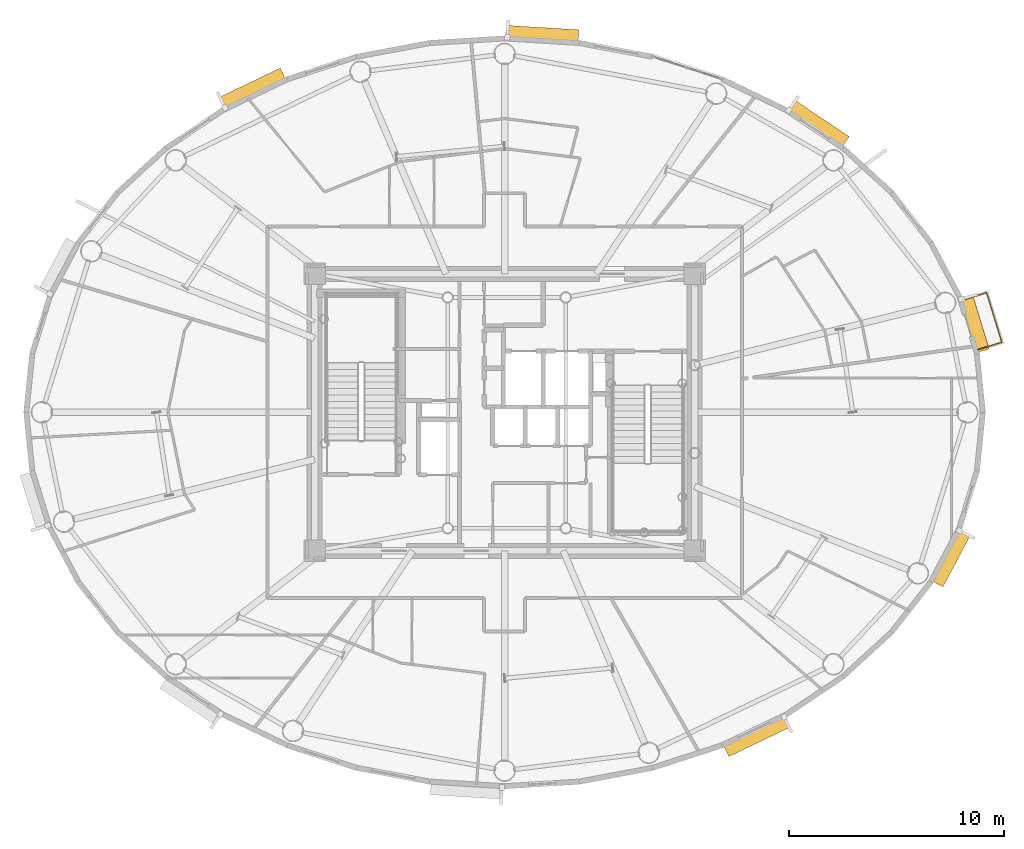
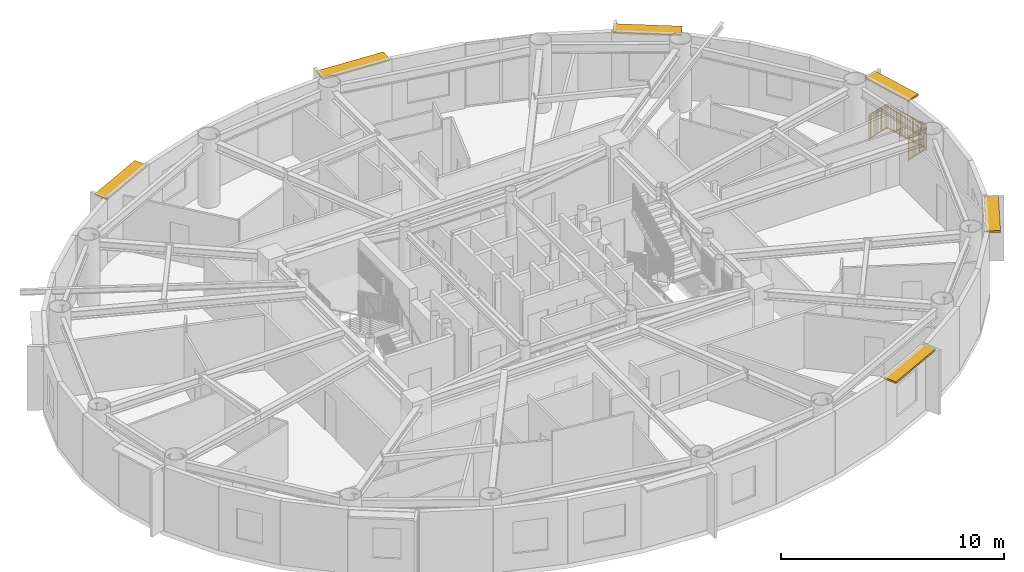
# One storey, part 18 of 18: 6 shading devices, 1 railing.
"""IFC4 building model written with IfcOpenShell, lengths in metres."""

import ifcopenshell
import ifcopenshell.guid

model = None  # the IFC model being written
_history = None  # IfcOwnerHistory: only IFC2X3 demands one
_inside = {}  # id of a spatial element -> (the spatial element, [elements in it])
_under = {}  # id of a project, library or spatial element -> (it, [spatial elements below it])
_declared = {}  # id of a project -> (the project, [libraries it declares])
_typed = {}  # id of a type object -> (the type object, [elements of that type])
_made_of = {}  # id of a material, layer set ... -> (it, [elements and type objects made of it])


def new_model(schema):
    """Start an empty IFC model of exactly this schema.

    Asked for "IFC4X3", IfcOpenShell would pick the latest addendum, in which some entities
    have other attributes; the version numbers below select the first issue.
    IFC2X3 requires an IfcOwnerHistory on every rooted entity: one is made here for all.
    """
    global model, _history
    if schema == "IFC4X3":
        model = ifcopenshell.file(schema_version=(4, 3, 0, 0))
    else:
        model = ifcopenshell.file(schema=schema)
    _inside.clear()
    _under.clear()
    _declared.clear()
    _typed.clear()
    _made_of.clear()
    _history = None
    if model.schema == "IFC2X3":
        org = make("IfcOrganization", Name="unknown")
        user = make(
            "IfcPersonAndOrganization",
            ThePerson=make("IfcPerson", FamilyName="unknown"),
            TheOrganization=org,
        )
        app = make(
            "IfcApplication",
            ApplicationDeveloper=org,
            Version="unknown",
            ApplicationFullName="unknown",
            ApplicationIdentifier="unknown",
        )
        _history = make(
            "IfcOwnerHistory",
            OwningUser=user,
            OwningApplication=app,
            ChangeAction="ADDED",
            CreationDate=0,
        )
    return model


def make(cls, **values):
    """One entity of the class cls with the attributes given. An attribute that is None is left unset."""
    return model.create_entity(
        cls, **{name: value for name, value in values.items() if value is not None}
    )


def rooted(cls, **values):
    """An entity with a GlobalId (a new one), such as an element, a storey or a relation."""
    return make(cls, GlobalId=ifcopenshell.guid.new(), OwnerHistory=_history, **values)


def si_unit(unit_type, name, prefix=None):
    """IfcSIUnit, for example si_unit("LENGTHUNIT", "METRE", prefix="MILLI")."""
    return make("IfcSIUnit", UnitType=unit_type, Prefix=prefix, Name=name)


def assignment(units):
    """IfcUnitAssignment: the units of a project."""
    return None if units is None else make("IfcUnitAssignment", Units=units)


def point(xyz):
    """IfcCartesianPoint."""
    return None if xyz is None else make("IfcCartesianPoint", Coordinates=xyz)


def direction(xyz):
    """IfcDirection."""
    return None if xyz is None else make("IfcDirection", DirectionRatios=xyz)


def frame(location, z_axis=None, x_axis=None):
    """IfcAxis2Placement3D, a coordinate frame: its origin and axes. An axis left out is left unset."""
    return make(
        "IfcAxis2Placement3D",
        Location=point(location),
        Axis=direction(z_axis),
        RefDirection=direction(x_axis),
    )


def frame_2d(location, x_axis=None):
    """IfcAxis2Placement2D, a coordinate frame in the plane: its origin and x axis."""
    return make(
        "IfcAxis2Placement2D", Location=point(location), RefDirection=direction(x_axis)
    )


def origin():
    """The frame at (0, 0, 0) with its axes left unset."""
    return frame((0.0, 0.0, 0.0))


def origin_2d():
    """The frame at (0, 0) in the plane with its x axis left unset."""
    return frame_2d((0.0, 0.0))


def place(relative_to, where):
    """IfcLocalPlacement: puts the frame where relative to a parent placement (None: the world)."""
    return make(
        "IfcLocalPlacement", PlacementRelTo=relative_to, RelativePlacement=where
    )


def context(
    kind, dimensions, precision=None, world=None, true_north=None, identifier=None
):
    """IfcGeometricRepresentationContext, for example the 3D "Model" context."""
    return make(
        "IfcGeometricRepresentationContext",
        ContextIdentifier=identifier,
        ContextType=kind,
        CoordinateSpaceDimension=dimensions,
        Precision=precision,
        WorldCoordinateSystem=world,
        TrueNorth=true_north,
    )


def subcontext(parent, identifier, kind, view, scale=None):
    """IfcGeometricRepresentationSubContext, for example "Body" below "Model"."""
    return make(
        "IfcGeometricRepresentationSubContext",
        ContextIdentifier=identifier,
        ContextType=kind,
        ParentContext=parent,
        TargetScale=scale,
        TargetView=view,
    )


def project(units=None, contexts=None):
    """IfcProject with its units and contexts."""
    return rooted(
        "IfcProject",
        Name="project",
        RepresentationContexts=contexts,
        UnitsInContext=assignment(units),
    )


def spatial(cls, under=None, at=None, **own):
    """A site, building, storey or space (cls), placed at a placement, below another one or the project."""
    s = rooted(cls, ObjectPlacement=at, **own)
    if under is not None:
        _under.setdefault(under.id(), (under, []))[1].append(s)
    return s


def profile(cls, at=None, kind="AREA", **sizes):
    """A parametric profile (cls). Its sizes go by their IFC names, for example OverallWidth=200.0."""
    return make(cls, ProfileType=kind, Position=at, **sizes)


def rectangle(**sizes):
    """IfcRectangleProfileDef."""
    return profile("IfcRectangleProfileDef", **sizes)


def extrude(swept, where, along, depth):
    """IfcExtrudedAreaSolid: the profile swept, set in the frame where, extruded along a direction by depth."""
    return make(
        "IfcExtrudedAreaSolid",
        SweptArea=swept,
        Position=where,
        ExtrudedDirection=direction(along),
        Depth=depth,
    )


def shape(context_of_items, identifier, shape_type, items):
    """IfcShapeRepresentation: the items that make up one representation, for example the "Body"."""
    return make(
        "IfcShapeRepresentation",
        ContextOfItems=context_of_items,
        RepresentationIdentifier=identifier,
        RepresentationType=shape_type,
        Items=items,
    )


def source(mapping_origin, context_of_items, identifier, shape_type, items):
    """IfcRepresentationMap: a shape defined once, which mapped items show again and again."""
    return make(
        "IfcRepresentationMap",
        MappingOrigin=mapping_origin,
        MappedRepresentation=shape(context_of_items, identifier, shape_type, items),
    )


def transform(
    local_origin,
    x_axis=None,
    y_axis=None,
    z_axis=None,
    scale=None,
    scale2=None,
    scale3=None,
    uniform=True,
):
    """IfcCartesianTransformationOperator3D, or its non-uniform kind. x_axis, y_axis, z_axis: its Axis1, 2, 3."""
    if uniform:
        return make(
            "IfcCartesianTransformationOperator3D",
            Axis1=direction(x_axis),
            Axis2=direction(y_axis),
            LocalOrigin=point(local_origin),
            Scale=scale,
            Axis3=direction(z_axis),
        )
    return make(
        "IfcCartesianTransformationOperator3DnonUniform",
        Axis1=direction(x_axis),
        Axis2=direction(y_axis),
        LocalOrigin=point(local_origin),
        Scale=scale,
        Axis3=direction(z_axis),
        Scale2=scale2,
        Scale3=scale3,
    )


def mapped(mapping_source, mapping_target):
    """IfcMappedItem: shows the shape of a source again, moved by a transform."""
    return make(
        "IfcMappedItem", MappingSource=mapping_source, MappingTarget=mapping_target
    )


def material(Name=None, Category=None):
    """IfcMaterial."""
    return make("IfcMaterial", Name=Name, Category=Category)


def layer(
    of_material, thickness, ventilated=None, Name=None, Category=None, Priority=None
):
    """IfcMaterialLayer: one layer of a wall or slab, of a material (None: an air gap)."""
    return make(
        "IfcMaterialLayer",
        Material=of_material,
        LayerThickness=thickness,
        IsVentilated=ventilated,
        Name=Name,
        Category=Category,
        Priority=Priority,
    )


def layer_set(layers, Name=None):
    """IfcMaterialLayerSet."""
    return make("IfcMaterialLayerSet", MaterialLayers=layers, LayerSetName=Name)


def made_of(thing, what):
    """Note that an element or type object is made of a material, layer set ...; save() writes the relation."""
    if what is not None:
        _made_of.setdefault(what.id(), (what, []))[1].append(thing)
    return thing


def type_object(cls, material=None, **own):
    """A type object (cls), such as IfcWallType, which elements share."""
    return made_of(rooted(cls, **own), material)


def element(
    cls,
    number,
    at=None,
    inside=None,
    cuts=None,
    type_object=None,
    material=None,
    context=None,
    identifier="Body",
    shape_type=None,
    held_by="IfcProductDefinitionShape",
    body=None,
    shapes=None,
    **own,
):
    """One element of the class cls, such as IfcWall. Its Tag is "e" and its number.

    at: its placement. inside: the storey or other place that contains it. cuts: it is an
    opening in that element (IfcRelVoidsElement). A single representation is given by context,
    identifier, shape_type and body (its items); several are given by shapes. held_by: the class
    of the entity that holds the representations. save() writes the other relations.
    """
    e = rooted(cls, Tag="e%d" % number, ObjectPlacement=at, **own)
    if body is not None:
        shapes = [shape(context, identifier, shape_type, body)]
    if shapes is not None:
        e.Representation = make(held_by, Representations=shapes)
    if inside is not None:
        _inside.setdefault(inside.id(), (inside, []))[1].append(e)
    if cuts is not None:
        rooted(
            "IfcRelVoidsElement", RelatingBuildingElement=cuts, RelatedOpeningElement=e
        )
    if type_object is not None:
        _typed.setdefault(type_object.id(), (type_object, []))[1].append(e)
    return made_of(e, material)


def aggregate(whole, parts):
    """IfcRelAggregates: a whole, such as a stair, and the parts it consists of."""
    return rooted("IfcRelAggregates", RelatingObject=whole, RelatedObjects=parts)


def save(model, path):
    """Write the relations noted so far, then the file.

    IfcRelAggregates (storeys below a building ...), IfcRelContainedInSpatialStructure (elements
    in a storey), IfcRelDefinesByType, IfcRelAssociatesMaterial and IfcRelDeclares: one each for
    every whole, place, type object, material and project.
    """
    for whole, parts in _under.values():
        aggregate(whole, parts)
    for where, things in _inside.values():
        rooted(
            "IfcRelContainedInSpatialStructure",
            RelatedElements=things,
            RelatingStructure=where,
        )
    for kind, things in _typed.values():
        rooted("IfcRelDefinesByType", RelatedObjects=things, RelatingType=kind)
    for what, things in _made_of.values():
        rooted("IfcRelAssociatesMaterial", RelatedObjects=things, RelatingMaterial=what)
    for by, libraries in _declared.values():
        rooted("IfcRelDeclares", RelatingContext=by, RelatedDefinitions=libraries)
    model.write(path)


model = new_model("IFC4")

# Units and contexts
model_context = context("Model", 3, precision=1e-05, world=origin(), true_north=direction((0.0, 1.0)))
body_context = subcontext(model_context, "Body", "Model", "MODEL_VIEW")
ifc_project = project(units=[si_unit("LENGTHUNIT", "METRE"), si_unit("AREAUNIT", "SQUARE_METRE"), si_unit("VOLUMEUNIT", "CUBIC_METRE"), si_unit("PLANEANGLEUNIT", "RADIAN"), si_unit("MASSUNIT", "GRAM", prefix="KILO")], contexts=[model_context])

# Site, building, storey
site_placement = place(None, origin())
site = spatial("IfcSite", under=ifc_project, at=site_placement, CompositionType="ELEMENT")
building_placement = place(site_placement, origin())
building = spatial("IfcBuilding", under=site, at=building_placement, Name="Linh Dai School and Residence Tower", CompositionType="ELEMENT")
storey_placement = place(building_placement, frame((0.0, 0.0, 273.0)))
storey = spatial("IfcBuildingStorey", under=building, at=storey_placement, Name="L67", CompositionType="ELEMENT", Elevation=273.0)

# Railing
ifc_material_1 = material(Name="Structural Steel S355JR", Category="steel")
railing_type = type_object("IfcRailingType", Name="RL-BAL-1400", PredefinedType="BALUSTRADE", material=ifc_material_1)
shared_shape_1 = source(origin(), body_context, "Body", "SweptSolid", [
    extrude(rectangle(XDim=0.048095703125, YDim=0.048095703125, at=origin_2d()), frame((0.0, 0.0, 1.3759765625), z_axis=(0.95606039398, 0.293169785386, 0.0), x_axis=(-0.293169785386, 0.95606039398, 0.0)), (0.0, 0.0, 1.0), 1.179931640625),
    extrude(rectangle(XDim=0.048095703125, YDim=0.048095703125, at=origin_2d()), frame((0.0, 0.0, 0.10009765625), z_axis=(0.95606039398, 0.293169785386, 0.0), x_axis=(-0.293169785386, 0.95606039398, 0.0)), (0.0, 0.0, 1.0), 1.179931640625),
    extrude(rectangle(XDim=0.030029296875, YDim=0.030029296875, at=origin_2d()), frame((0.0, 0.0, 1.239990234375), z_axis=(0.95606039398, 0.293169785386, 0.0), x_axis=(-0.293169785386, 0.95606039398, 0.0)), (0.0, 0.0, 1.0), 1.179931640625),
    extrude(rectangle(XDim=0.02001953125, YDim=0.02001953125, at=origin_2d()), frame((0.086669921875, 0.026611328125, 0.10009765625)), (0.0, 0.0, 1.0), 1.251708984375),
    extrude(rectangle(XDim=0.02001953125, YDim=0.02001953125, at=origin_2d()), frame((0.173583984375, 0.05322265625, 0.10009765625)), (0.0, 0.0, 1.0), 1.251708984375),
    extrude(rectangle(XDim=0.02001953125, YDim=0.02001953125, at=origin_2d()), frame((0.26025390625, 0.079833984375, 0.10009765625)), (0.0, 0.0, 1.0), 1.251708984375),
    extrude(rectangle(XDim=0.02001953125, YDim=0.02001953125, at=origin_2d()), frame((0.34716796875, 0.1064453125, 0.10009765625)), (0.0, 0.0, 1.0), 1.251708984375),
    extrude(rectangle(XDim=0.02001953125, YDim=0.02001953125, at=origin_2d()), frame((0.433837890625, 0.133056640625, 0.10009765625)), (0.0, 0.0, 1.0), 1.251708984375),
    extrude(rectangle(XDim=0.02001953125, YDim=0.02001953125, at=origin_2d()), frame((0.520751953125, 0.15966796875, 0.10009765625)), (0.0, 0.0, 1.0), 1.251708984375),
    extrude(rectangle(XDim=0.02001953125, YDim=0.02001953125, at=origin_2d()), frame((0.607421875, 0.186279296875, 0.10009765625)), (0.0, 0.0, 1.0), 1.251708984375),
    extrude(rectangle(XDim=0.02001953125, YDim=0.02001953125, at=origin_2d()), frame((0.6943359375, 0.212890625, 0.10009765625)), (0.0, 0.0, 1.0), 1.251708984375),
    extrude(rectangle(XDim=0.02001953125, YDim=0.02001953125, at=origin_2d()), frame((0.781005859375, 0.239501953125, 0.10009765625)), (0.0, 0.0, 1.0), 1.251708984375),
    extrude(rectangle(XDim=0.02001953125, YDim=0.02001953125, at=origin_2d()), frame((0.867919921875, 0.26611328125, 0.10009765625)), (0.0, 0.0, 1.0), 1.251708984375),
    extrude(rectangle(XDim=0.02001953125, YDim=0.02001953125, at=origin_2d()), frame((0.95458984375, 0.292724609375, 0.10009765625)), (0.0, 0.0, 1.0), 1.251708984375),
    extrude(rectangle(XDim=0.02001953125, YDim=0.02001953125, at=origin_2d()), frame((1.04150390625, 0.3193359375, 0.10009765625)), (0.0, 0.0, 1.0), 1.251708984375),
    extrude(rectangle(XDim=0.048095703125, YDim=0.048095703125, at=origin_2d()), frame((1.128173828125, 0.345947265625, 1.3759765625), z_axis=(0.293148070625, -0.956067052402, 0.0), x_axis=(0.956067052402, 0.293148070625, 0.0)), (0.0, 0.0, 1.0), 2.415283203125),
    extrude(rectangle(XDim=0.048095703125, YDim=0.048095703125, at=origin_2d()), frame((1.128173828125, 0.345947265625, 0.10009765625), z_axis=(0.293148070625, -0.956067052402, 0.0), x_axis=(0.956067052402, 0.293148070625, 0.0)), (0.0, 0.0, 1.0), 2.415283203125),
    extrude(rectangle(XDim=0.030029296875, YDim=0.030029296875, at=origin_2d()), frame((1.128173828125, 0.345947265625, 1.239990234375), z_axis=(0.293148070625, -0.956067052402, 0.0), x_axis=(0.956067052402, 0.293148070625, 0.0)), (0.0, 0.0, 1.0), 2.415283203125),
    extrude(rectangle(XDim=0.02001953125, YDim=0.02001953125, at=origin_2d()), frame((1.156494140625, 0.253662109375, 0.10009765625)), (0.0, 0.0, 1.0), 1.251708984375),
    extrude(rectangle(XDim=0.02001953125, YDim=0.02001953125, at=origin_2d()), frame((1.184814453125, 0.1611328125, 0.10009765625)), (0.0, 0.0, 1.0), 1.251708984375),
    extrude(rectangle(XDim=0.02001953125, YDim=0.02001953125, at=origin_2d()), frame((1.213134765625, 0.06884765625, 0.10009765625)), (0.0, 0.0, 1.0), 1.251708984375),
    extrude(rectangle(XDim=0.02001953125, YDim=0.02001953125, at=origin_2d()), frame((1.241455078125, -0.0234375, 0.10009765625)), (0.0, 0.0, 1.0), 1.251708984375),
    extrude(rectangle(XDim=0.02001953125, YDim=0.02001953125, at=origin_2d()), frame((1.269775390625, -0.115966796875, 0.10009765625)), (0.0, 0.0, 1.0), 1.251708984375),
    extrude(rectangle(XDim=0.02001953125, YDim=0.02001953125, at=origin_2d()), frame((1.298095703125, -0.208251953125, 0.10009765625)), (0.0, 0.0, 1.0), 1.251708984375),
    extrude(rectangle(XDim=0.02001953125, YDim=0.02001953125, at=origin_2d()), frame((1.326416015625, -0.300537109375, 0.10009765625)), (0.0, 0.0, 1.0), 1.251708984375),
    extrude(rectangle(XDim=0.02001953125, YDim=0.02001953125, at=origin_2d()), frame((1.383056640625, -0.4853515625, 0.10009765625)), (0.0, 0.0, 1.0), 1.251708984375),
    extrude(rectangle(XDim=0.02001953125, YDim=0.02001953125, at=origin_2d()), frame((1.411376953125, -0.57763671875, 0.10009765625)), (0.0, 0.0, 1.0), 1.251708984375),
    extrude(rectangle(XDim=0.02001953125, YDim=0.02001953125, at=origin_2d()), frame((1.439697265625, -0.670166015625, 0.10009765625)), (0.0, 0.0, 1.0), 1.251708984375),
    extrude(rectangle(XDim=0.02001953125, YDim=0.02001953125, at=origin_2d()), frame((1.468017578125, -0.762451171875, 0.10009765625)), (0.0, 0.0, 1.0), 1.251708984375),
    extrude(rectangle(XDim=0.02001953125, YDim=0.02001953125, at=origin_2d()), frame((1.496337890625, -0.854736328125, 0.10009765625)), (0.0, 0.0, 1.0), 1.251708984375),
    extrude(rectangle(XDim=0.02001953125, YDim=0.02001953125, at=origin_2d()), frame((1.524658203125, -0.947021484375, 0.10009765625)), (0.0, 0.0, 1.0), 1.251708984375),
    extrude(rectangle(XDim=0.02001953125, YDim=0.02001953125, at=origin_2d()), frame((1.552978515625, -1.03955078125, 0.10009765625)), (0.0, 0.0, 1.0), 1.251708984375),
    extrude(rectangle(XDim=0.02001953125, YDim=0.02001953125, at=origin_2d()), frame((1.581298828125, -1.1318359375, 0.10009765625)), (0.0, 0.0, 1.0), 1.251708984375),
    extrude(rectangle(XDim=0.02001953125, YDim=0.02001953125, at=origin_2d()), frame((1.637939453125, -1.316650390625, 0.10009765625)), (0.0, 0.0, 1.0), 1.251708984375),
    extrude(rectangle(XDim=0.02001953125, YDim=0.02001953125, at=origin_2d()), frame((1.666259765625, -1.408935546875, 0.10009765625)), (0.0, 0.0, 1.0), 1.251708984375),
    extrude(rectangle(XDim=0.02001953125, YDim=0.02001953125, at=origin_2d()), frame((1.694580078125, -1.501220703125, 0.10009765625)), (0.0, 0.0, 1.0), 1.251708984375),
    extrude(rectangle(XDim=0.02001953125, YDim=0.02001953125, at=origin_2d()), frame((1.722900390625, -1.59375, 0.10009765625)), (0.0, 0.0, 1.0), 1.251708984375),
    extrude(rectangle(XDim=0.02001953125, YDim=0.02001953125, at=origin_2d()), frame((1.751220703125, -1.68603515625, 0.10009765625)), (0.0, 0.0, 1.0), 1.251708984375),
    extrude(rectangle(XDim=0.02001953125, YDim=0.02001953125, at=origin_2d()), frame((1.779541015625, -1.7783203125, 0.10009765625)), (0.0, 0.0, 1.0), 1.251708984375),
    extrude(rectangle(XDim=0.02001953125, YDim=0.02001953125, at=origin_2d()), frame((1.807861328125, -1.870849609375, 0.10009765625)), (0.0, 0.0, 1.0), 1.251708984375),
    extrude(rectangle(XDim=0.048095703125, YDim=0.048095703125, at=origin_2d()), frame((1.836181640625, -1.963134765625, 1.3759765625), z_axis=(-0.95606039398, -0.293169785386, 0.0), x_axis=(0.293169785386, -0.95606039398, 0.0)), (0.0, 0.0, 1.0), 1.179931640625),
    extrude(rectangle(XDim=0.048095703125, YDim=0.048095703125, at=origin_2d()), frame((1.836181640625, -1.963134765625, 0.10009765625), z_axis=(-0.95606039398, -0.293169785386, 0.0), x_axis=(0.293169785386, -0.95606039398, 0.0)), (0.0, 0.0, 1.0), 1.179931640625),
    extrude(rectangle(XDim=0.030029296875, YDim=0.030029296875, at=origin_2d()), frame((1.836181640625, -1.963134765625, 1.239990234375), z_axis=(-0.95606039398, -0.293169785386, 0.0), x_axis=(0.293169785386, -0.95606039398, 0.0)), (0.0, 0.0, 1.0), 1.179931640625),
    extrude(rectangle(XDim=0.02001953125, YDim=0.02001953125, at=origin_2d()), frame((1.74951171875, -1.98974609375, 0.10009765625)), (0.0, 0.0, 1.0), 1.251708984375),
    extrude(rectangle(XDim=0.02001953125, YDim=0.02001953125, at=origin_2d()), frame((1.66259765625, -2.016357421875, 0.10009765625)), (0.0, 0.0, 1.0), 1.251708984375),
    extrude(rectangle(XDim=0.02001953125, YDim=0.02001953125, at=origin_2d()), frame((1.575927734375, -2.04296875, 0.10009765625)), (0.0, 0.0, 1.0), 1.251708984375),
    extrude(rectangle(XDim=0.02001953125, YDim=0.02001953125, at=origin_2d()), frame((1.489013671875, -2.069580078125, 0.10009765625)), (0.0, 0.0, 1.0), 1.251708984375),
    extrude(rectangle(XDim=0.02001953125, YDim=0.02001953125, at=origin_2d()), frame((1.40234375, -2.09619140625, 0.10009765625)), (0.0, 0.0, 1.0), 1.251708984375),
    extrude(rectangle(XDim=0.02001953125, YDim=0.02001953125, at=origin_2d()), frame((1.3154296875, -2.122802734375, 0.10009765625)), (0.0, 0.0, 1.0), 1.251708984375),
    extrude(rectangle(XDim=0.02001953125, YDim=0.02001953125, at=origin_2d()), frame((1.228759765625, -2.1494140625, 0.10009765625)), (0.0, 0.0, 1.0), 1.251708984375),
    extrude(rectangle(XDim=0.02001953125, YDim=0.02001953125, at=origin_2d()), frame((1.141845703125, -2.176025390625, 0.10009765625)), (0.0, 0.0, 1.0), 1.251708984375),
    extrude(rectangle(XDim=0.02001953125, YDim=0.02001953125, at=origin_2d()), frame((1.05517578125, -2.20263671875, 0.10009765625)), (0.0, 0.0, 1.0), 1.251708984375),
    extrude(rectangle(XDim=0.02001953125, YDim=0.02001953125, at=origin_2d()), frame((0.96826171875, -2.229248046875, 0.10009765625)), (0.0, 0.0, 1.0), 1.251708984375),
    extrude(rectangle(XDim=0.02001953125, YDim=0.02001953125, at=origin_2d()), frame((0.881591796875, -2.255859375, 0.10009765625)), (0.0, 0.0, 1.0), 1.251708984375),
    extrude(rectangle(XDim=0.02001953125, YDim=0.02001953125, at=origin_2d()), frame((0.794677734375, -2.282470703125, 0.10009765625)), (0.0, 0.0, 1.0), 1.251708984375),
    extrude(rectangle(XDim=0.0419921875, YDim=0.0419921875, at=origin_2d()), origin(), (0.0, 0.0, 1.0), 1.3759765625),
    extrude(rectangle(XDim=0.0419921875, YDim=0.0419921875, at=origin_2d()), frame((1.128173828125, 0.345947265625, 0.0)), (0.0, 0.0, 1.0), 1.3759765625),
    extrude(rectangle(XDim=0.0419921875, YDim=0.0419921875, at=origin_2d()), frame((1.3642578125, -0.423828125, 0.0)), (0.0, 0.0, 1.0), 1.3759765625),
    extrude(rectangle(XDim=0.0419921875, YDim=0.0419921875, at=origin_2d()), frame((1.60009765625, -1.193359375, 0.0)), (0.0, 0.0, 1.0), 1.3759765625),
    extrude(rectangle(XDim=0.0419921875, YDim=0.0419921875, at=origin_2d()), frame((1.836181640625, -1.963134765625, 0.0)), (0.0, 0.0, 1.0), 1.3759765625),
    extrude(rectangle(XDim=0.0419921875, YDim=0.0419921875, at=origin_2d()), frame((0.7080078125, -2.30908203125, 0.0)), (0.0, 0.0, 1.0), 1.3759765625),
])
railing_placement = place(storey_placement, frame((57.322265625, 32.22509765625, 0.0)))
element("IfcRailing", 1, at=railing_placement, inside=storey, type_object=railing_type, Name="L67 Balcony Safety Balustrade 02", PredefinedType="BALUSTRADE", context=body_context, shape_type="MappedRepresentation", body=[
    mapped(shared_shape_1, transform((0.0, 0.0, 0.0), x_axis=(1.0, 0.0, 0.0), y_axis=(0.0, 1.0, 0.0), z_axis=(0.0, 0.0, 1.0), scale=1.0)),
])

# Shading devices
ifc_material_2 = material(Name="Terracotta Ceramic Sunshade", Category="masonry")
ifc_layer = layer(ifc_material_2, 0.10009765625)
ifc_layer_set = layer_set([ifc_layer], Name="Terracotta Ceramic Sunshade")
shading_device_type = type_object("IfcShadingDeviceType", Name="SHD-TC-650", PredefinedType="USERDEFINED", material=ifc_layer_set)
shared_shape_2 = source(origin(), body_context, "Body", "SweptSolid", [
    extrude(rectangle(XDim=2.6640625, YDim=0.64990234375, at=origin_2d()), origin(), (0.0, 0.0, 1.0), 0.10009765625),
])
shading_device_1_placement = place(storey_placement, frame((57.867431640625, 31.129150390625, 3.3798828125), z_axis=(0.0, 0.0, 1.0), x_axis=(0.293140945944, -0.956069236934, 0.0)))
element("IfcShadingDevice", 2, at=shading_device_1_placement, inside=storey, type_object=shading_device_type, Name="L67 Terracotta Horizontal Sunshade Band 02", ObjectType="SUNSHADE", PredefinedType="USERDEFINED", context=body_context, shape_type="MappedRepresentation", body=[
    mapped(shared_shape_2, transform((0.0, 0.0, 0.0), x_axis=(1.0, 0.0, 0.0), y_axis=(0.0, 1.0, 0.0), z_axis=(0.0, 0.0, 1.0), scale=1.0)),
])
shared_shape_3 = source(origin(), body_context, "Body", "SweptSolid", [
    extrude(rectangle(XDim=3.069091796875, YDim=0.64990234375, at=origin_2d()), origin(), (0.0, 0.0, 1.0), 0.10009765625),
])
shading_device_2_placement = place(storey_placement, frame((50.591796875, 40.4296875, 3.3798828125), z_axis=(0.0, 0.0, 1.0), x_axis=(0.831243873264, -0.555907926874, 0.0)))
element("IfcShadingDevice", 3, at=shading_device_2_placement, inside=storey, type_object=shading_device_type, Name="L67 Terracotta Horizontal Sunshade Band 06", ObjectType="SUNSHADE", PredefinedType="USERDEFINED", context=body_context, shape_type="MappedRepresentation", body=[
    mapped(shared_shape_3, transform((0.0, 0.0, 0.0), x_axis=(1.0, 0.0, 0.0), y_axis=(0.0, 1.0, 0.0), z_axis=(0.0, 0.0, 1.0), scale=1.0)),
])
shared_shape_4 = source(origin(), body_context, "Body", "SweptSolid", [
    extrude(rectangle(XDim=3.355712890625, YDim=0.64990234375, at=origin_2d()), origin(), (0.0, 0.0, 1.0), 0.10009765625),
])
shading_device_3_placement = place(storey_placement, frame((37.761962890625, 44.592041015625, 3.3798828125), z_axis=(0.0, 0.0, 1.0), x_axis=(0.998106469364, -0.061509965157, 0.0)))
element("IfcShadingDevice", 4, at=shading_device_3_placement, inside=storey, type_object=shading_device_type, Name="L67 Terracotta Horizontal Sunshade Band 10", ObjectType="SUNSHADE", PredefinedType="USERDEFINED", context=body_context, shape_type="MappedRepresentation", body=[
    mapped(shared_shape_4, transform((0.0, 0.0, 0.0), x_axis=(1.0, 0.0, 0.0), y_axis=(0.0, 1.0, 0.0), z_axis=(0.0, 0.0, 1.0), scale=1.0)),
])
shared_shape_5 = source(origin(), body_context, "Body", "SweptSolid", [
    extrude(rectangle(XDim=3.1748046875, YDim=0.64990234375, at=origin_2d()), origin(), (0.0, 0.0, 1.0), 0.10009765625),
])
for number, where, z_axis, x_axis, name in (
    (5, (24.262939453125, 42.0537109375, 3.3798828125), (0.0, 0.0, 1.0), (0.901580240323, 0.432611916456, 0.0), "L67 Terracotta Horizontal Sunshade Band 14"),
    (6, (47.737060546875, 11.9462890625, 3.3798828125), (0.0, 0.0, 1.0), (-0.901580240323, -0.432611916456, 0.0), "L67 Terracotta Horizontal Sunshade Band 34"),
):
    element("IfcShadingDevice", number, at=place(storey_placement, frame(where, z_axis=z_axis, x_axis=x_axis)), inside=storey, type_object=shading_device_type, Name=name, ObjectType="SUNSHADE", PredefinedType="USERDEFINED", context=body_context, shape_type="MappedRepresentation", body=[
        mapped(shared_shape_5, transform((0.0, 0.0, 0.0), x_axis=(1.0, 0.0, 0.0), y_axis=(0.0, 1.0, 0.0), z_axis=(0.0, 0.0, 1.0), scale=1.0)),
    ])
shared_shape_6 = source(origin(), body_context, "Body", "SweptSolid", [
    extrude(rectangle(XDim=2.739501953125, YDim=0.64990234375, at=origin_2d()), origin(), (0.0, 0.0, 1.0), 0.10009765625),
])
shading_device_4_placement = place(storey_placement, frame((56.77294921875, 20.233154296875, 3.3798828125), z_axis=(0.0, 0.0, 1.0), x_axis=(-0.467603531201, -0.883938310975, 0.0)))
element("IfcShadingDevice", 7, at=shading_device_4_placement, inside=storey, type_object=shading_device_type, Name="L67 Terracotta Horizontal Sunshade Band 38", ObjectType="SUNSHADE", PredefinedType="USERDEFINED", context=body_context, shape_type="MappedRepresentation", body=[
    mapped(shared_shape_6, transform((0.0, 0.0, 0.0), x_axis=(1.0, 0.0, 0.0), y_axis=(0.0, 1.0, 0.0), z_axis=(0.0, 0.0, 1.0), scale=1.0)),
])

save(model, "model.ifc")
